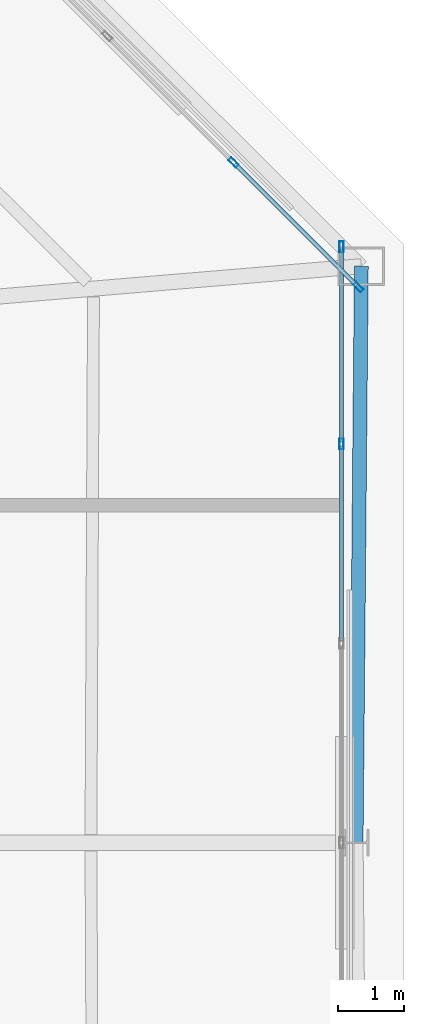
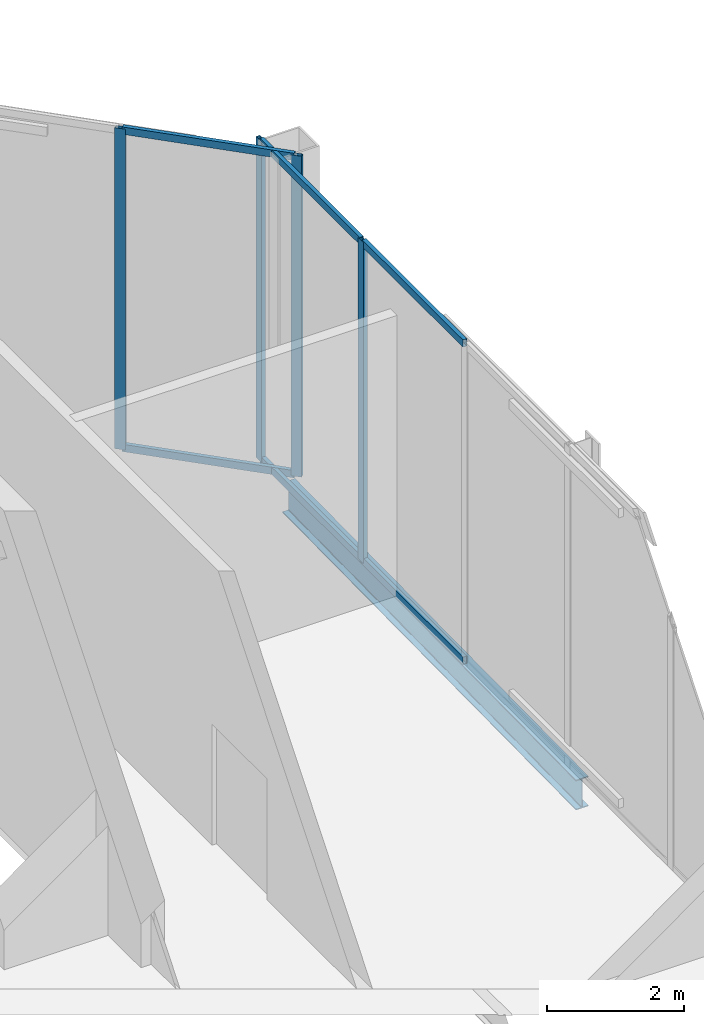
# One storey, part 16 of 20: 10 members, 1 beam, 2 elements without a shape of their own.
"""IFC4 building model written with IfcOpenShell, lengths in metres."""

from ifc_helpers import new_model, si_unit, direction, frame, origin, origin_2d, place, context, subcontext, project, spatial, hollow_rectangle, i_section, extrude, material, layer, layer_set, material_profile, profile_set, type_object, element, aggregate, save


model = new_model("IFC4")

# Units and contexts
model_context = context("Model", 3, precision=1e-05, world=origin(), true_north=direction((0.0, 1.0)))
body_context = subcontext(model_context, "Body", "Model", "MODEL_VIEW")
ifc_project = project(units=[si_unit("LENGTHUNIT", "METRE"), si_unit("AREAUNIT", "SQUARE_METRE"), si_unit("VOLUMEUNIT", "CUBIC_METRE"), si_unit("PLANEANGLEUNIT", "RADIAN"), si_unit("MASSUNIT", "GRAM", prefix="KILO")], contexts=[model_context])

# Site, building, storey
site_placement = place(None, origin())
site = spatial("IfcSite", under=ifc_project, at=site_placement, CompositionType="ELEMENT")
building_placement = place(site_placement, origin())
building = spatial("IfcBuilding", under=site, at=building_placement, Name="Caelvoria Tower", CompositionType="ELEMENT")
storey_placement = place(building_placement, frame((0.0, 0.0, 284.199951171875)))
storey = spatial("IfcBuildingStorey", under=building, at=storey_placement, Name="C1", CompositionType="ELEMENT", Elevation=284.199951171875)

# Curtain wall, members
ifc_material_1 = material(Name="Anodised Bronze Aluminium and Low-E Glass", Category="aluminium")
ifc_layer = layer(ifc_material_1, 0.179931640625, Name="Anodised Bronze Aluminium and Low-E Glass")
ifc_layer_set = layer_set([ifc_layer], Name="CW System 6 Slanted Crown Bronze Screen Facade - Anodised Bronze Aluminium and Low-E Glass")
curtain_wall_type = type_object("IfcCurtainWallType", Name="CW System 6 Slanted Crown Bronze Screen Facade", PredefinedType="NOTDEFINED", material=ifc_layer_set)
curtain_wall_1_placement = place(storey_placement, origin())
curtain_wall_1 = element("IfcCurtainWall", 1, at=curtain_wall_1_placement, inside=storey, type_object=curtain_wall_type, Name="CW-06 Curtain Wall C1-E2", PredefinedType="NOTDEFINED")
ifc_material_2 = material(Name="Anodised Bronze Architectural Aluminium", Category="aluminium")
ifc_material_profile_1 = material_profile(ifc_material_2, hollow_rectangle(XDim=0.06494140625, YDim=0.159912109375, WallThickness=0.00390625, at=origin_2d()), Name="Anodised Bronze Architectural Aluminium")
ifc_profile_set_1 = profile_set([ifc_material_profile_1], Name="CW_MULL_65X160 - Anodised Bronze Architectural Aluminium")
member_type_1 = type_object("IfcMemberType", Name="Curtain Wall Mullion 65x160 Bronze Aluminium", PredefinedType="MULLION", material=ifc_profile_set_1)
member_1_placement = place(storey_placement, frame((62.760009765625, 38.0, 0.0), z_axis=(0.0, 0.0, 1.0), x_axis=(-1.0, 0.0, 0.0)))
member_1 = element("IfcMember", 2, at=member_1_placement, type_object=member_type_1, Name="CW-06 mullion 6", PredefinedType="MULLION", context=body_context, shape_type="SweptSolid", body=[
    extrude(hollow_rectangle(XDim=0.06494140625, YDim=0.159912109375, WallThickness=0.00390625, at=origin_2d()), origin(), (0.0, 0.0, 1.0), 5.699951171875),
])
member_2_placement = place(storey_placement, frame((62.760009765625, 40.967529296875, 0.0), z_axis=(0.0, 0.0, 1.0), x_axis=(-1.0, 0.0, 0.0)))
member_2 = element("IfcMember", 3, at=member_2_placement, type_object=member_type_1, Name="CW-06 mullion 7", PredefinedType="MULLION", context=body_context, shape_type="SweptSolid", body=[
    extrude(hollow_rectangle(XDim=0.06494140625, YDim=0.159912109375, WallThickness=0.00390625, at=origin_2d()), origin(), (0.0, 0.0, 1.0), 5.699951171875),
])

curtain_wall_2_placement = place(storey_placement, origin())
curtain_wall_2 = element("IfcCurtainWall", 4, at=curtain_wall_2_placement, inside=storey, type_object=curtain_wall_type, Name="CW-06 Curtain Wall C1-E3", PredefinedType="NOTDEFINED")
member_3_placement = place(storey_placement, frame((63.01220703125, 40.3583984375, 0.0), z_axis=(0.0, 0.0, 1.0), x_axis=(-0.707106781187, -0.707106781187, 0.0)))
member_3 = element("IfcMember", 5, at=member_3_placement, type_object=member_type_1, Name="CW-06 mullion 1", PredefinedType="MULLION", context=body_context, shape_type="SweptSolid", body=[
    extrude(hollow_rectangle(XDim=0.06494140625, YDim=0.159912109375, WallThickness=0.00390625, at=origin_2d()), origin(), (0.0, 0.0, 1.0), 5.699951171875),
])
member_4_placement = place(storey_placement, frame((61.13525390625, 42.2353515625, 0.0), z_axis=(0.0, 0.0, 1.0), x_axis=(-0.707106781187, -0.707106781187, 0.0)))
member_4 = element("IfcMember", 6, at=member_4_placement, type_object=member_type_1, Name="CW-06 mullion 2", PredefinedType="MULLION", context=body_context, shape_type="SweptSolid", body=[
    extrude(hollow_rectangle(XDim=0.06494140625, YDim=0.159912109375, WallThickness=0.00390625, at=origin_2d()), origin(), (0.0, 0.0, 1.0), 5.699951171875),
])

# Member
ifc_material_profile_2 = material_profile(ifc_material_2, hollow_rectangle(XDim=0.06494140625, YDim=0.1298828125, WallThickness=0.00341796875, at=origin_2d()), Name="Anodised Bronze Architectural Aluminium")
ifc_profile_set_2 = profile_set([ifc_material_profile_2], Name="CW_TRAN_65X130 - Anodised Bronze Architectural Aluminium")
member_type_2 = type_object("IfcMemberType", Name="Curtain Wall Transom 65x130 Bronze Aluminium", PredefinedType="USERDEFINED", material=ifc_profile_set_2)
member_5_placement = place(storey_placement, frame((62.760009765625, 35.032470703125, 0.032470703125), z_axis=(0.0, 1.0, 0.0), x_axis=(-1.0, 0.0, 0.0)))
member_5 = element("IfcMember", 7, at=member_5_placement, type_object=member_type_2, Name="CW-06 transom 5.1", ObjectType="TRANSOM", PredefinedType="USERDEFINED", context=body_context, shape_type="SweptSolid", body=[
    extrude(hollow_rectangle(XDim=0.06494140625, YDim=0.1298828125, WallThickness=0.00341796875, at=origin_2d()), origin(), (0.0, 0.0, 1.0), 2.93505859375),
])

member_6_placement = place(storey_placement, frame((62.760009765625, 35.032470703125, 5.66748046875), z_axis=(0.0, 1.0, 0.0), x_axis=(-1.0, 0.0, 0.0)))
member_6 = element("IfcMember", 8, at=member_6_placement, type_object=member_type_2, Name="CW-06 transom 5.2", ObjectType="TRANSOM", PredefinedType="USERDEFINED", context=body_context, shape_type="SweptSolid", body=[
    extrude(hollow_rectangle(XDim=0.06494140625, YDim=0.1298828125, WallThickness=0.00341796875, at=origin_2d()), origin(), (0.0, 0.0, 1.0), 2.93505859375),
])

member_7_placement = place(storey_placement, frame((62.760009765625, 38.032470703125, 0.032470703125), z_axis=(0.0, 1.0, 0.0), x_axis=(-1.0, 0.0, 0.0)))
member_7 = element("IfcMember", 9, at=member_7_placement, type_object=member_type_2, Name="CW-06 transom 6.1", ObjectType="TRANSOM", PredefinedType="USERDEFINED", context=body_context, shape_type="SweptSolid", body=[
    extrude(hollow_rectangle(XDim=0.06494140625, YDim=0.1298828125, WallThickness=0.00341796875, at=origin_2d()), origin(), (0.0, 0.0, 1.0), 2.902587890625),
])

member_8_placement = place(storey_placement, frame((62.760009765625, 38.032470703125, 5.66748046875), z_axis=(0.0, 1.0, 0.0), x_axis=(-1.0, 0.0, 0.0)))
member_8 = element("IfcMember", 10, at=member_8_placement, type_object=member_type_2, Name="CW-06 transom 6.2", ObjectType="TRANSOM", PredefinedType="USERDEFINED", context=body_context, shape_type="SweptSolid", body=[
    extrude(hollow_rectangle(XDim=0.06494140625, YDim=0.1298828125, WallThickness=0.00341796875, at=origin_2d()), origin(), (0.0, 0.0, 1.0), 2.902587890625),
])

aggregate(curtain_wall_1, [member_1, member_2, member_5, member_6, member_7, member_8])

member_9_placement = place(storey_placement, frame((62.9892578125, 40.38134765625, 0.032470703125), z_axis=(-0.707106781187, 0.707106781187, 0.0), x_axis=(-0.707106781187, -0.707106781187, 0.0)))
member_9 = element("IfcMember", 11, at=member_9_placement, type_object=member_type_2, Name="CW-06 transom 1.1", ObjectType="TRANSOM", PredefinedType="USERDEFINED", context=body_context, shape_type="SweptSolid", body=[
    extrude(hollow_rectangle(XDim=0.06494140625, YDim=0.1298828125, WallThickness=0.00341796875, at=origin_2d()), origin(), (0.0, 0.0, 1.0), 2.589599609375),
])

member_10_placement = place(storey_placement, frame((62.9892578125, 40.38134765625, 5.66748046875), z_axis=(-0.707106781187, 0.707106781187, 0.0), x_axis=(-0.707106781187, -0.707106781187, 0.0)))
member_10 = element("IfcMember", 12, at=member_10_placement, type_object=member_type_2, Name="CW-06 transom 1.2", ObjectType="TRANSOM", PredefinedType="USERDEFINED", context=body_context, shape_type="SweptSolid", body=[
    extrude(hollow_rectangle(XDim=0.06494140625, YDim=0.1298828125, WallThickness=0.00341796875, at=origin_2d()), origin(), (0.0, 0.0, 1.0), 2.589599609375),
])

aggregate(curtain_wall_2, [member_3, member_4, member_9, member_10])

# Beam
ifc_material_3 = material(Name="Structural Steel ASTM A992 Gr.50", Category="steel")
ifc_material_profile_3 = material_profile(ifc_material_3, i_section(OverallWidth=0.208984375, OverallDepth=0.532958984375, WebThickness=0.01025390625, FlangeThickness=0.015625, FilletRadius=0.01611328125, at=origin_2d()), Name="Structural Steel ASTM A992 Gr.50")
ifc_profile_set_3 = profile_set([ifc_material_profile_3], Name="W530X92 - Structural Steel ASTM A992 Gr.50")
beam_type = type_object("IfcBeamType", Name="Upper Zone Spandrel W530X92", PredefinedType="BEAM", material=ifc_profile_set_3)
beam_placement = place(storey_placement, frame((62.97998046875, 32.0, -0.56640625), z_axis=(0.009006868577, 0.999959437337, 0.0), x_axis=(-0.999959437337, 0.009006868577, 0.0)))
element("IfcBeam", 13, at=beam_placement, inside=storey, type_object=beam_type, Name="Perimeter Spandrel Girder C1-04", PredefinedType="BEAM", context=body_context, shape_type="SweptSolid", body=[
    extrude(i_section(OverallWidth=0.208984375, OverallDepth=0.532958984375, WebThickness=0.01025390625, FlangeThickness=0.015625, FilletRadius=0.01611328125, at=origin_2d()), origin(), (0.0, 0.0, 1.0), 8.673828125),
])

save(model, "model.ifc")
